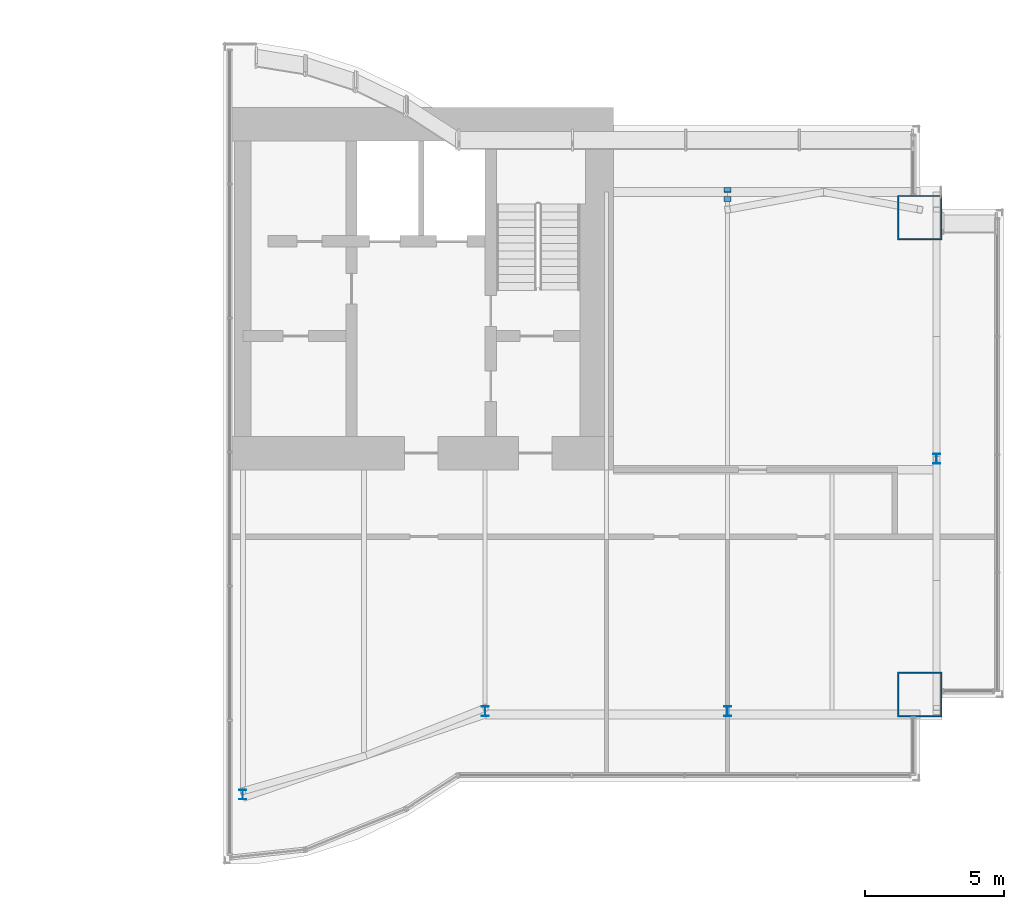
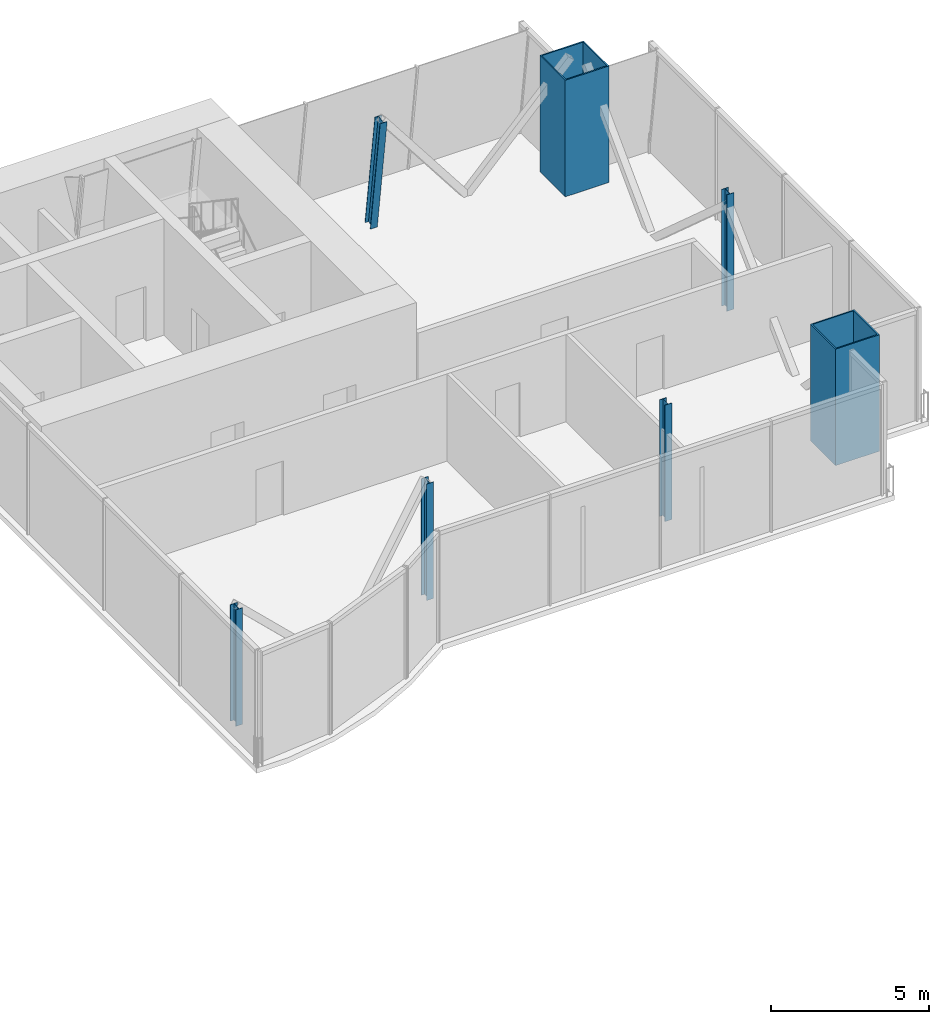
# One storey, part 2 of 14: 7 columns.
"""IFC4 building model written with IfcOpenShell, lengths in metres."""

import ifcopenshell
import ifcopenshell.guid

model = None  # the IFC model being written
_history = None  # IfcOwnerHistory: only IFC2X3 demands one
_inside = {}  # id of a spatial element -> (the spatial element, [elements in it])
_under = {}  # id of a project, library or spatial element -> (it, [spatial elements below it])
_declared = {}  # id of a project -> (the project, [libraries it declares])
_typed = {}  # id of a type object -> (the type object, [elements of that type])
_made_of = {}  # id of a material, layer set ... -> (it, [elements and type objects made of it])


def new_model(schema):
    """Start an empty IFC model of exactly this schema.

    Asked for "IFC4X3", IfcOpenShell would pick the latest addendum, in which some entities
    have other attributes; the version numbers below select the first issue.
    IFC2X3 requires an IfcOwnerHistory on every rooted entity: one is made here for all.
    """
    global model, _history
    if schema == "IFC4X3":
        model = ifcopenshell.file(schema_version=(4, 3, 0, 0))
    else:
        model = ifcopenshell.file(schema=schema)
    _inside.clear()
    _under.clear()
    _declared.clear()
    _typed.clear()
    _made_of.clear()
    _history = None
    if model.schema == "IFC2X3":
        org = make("IfcOrganization", Name="unknown")
        user = make(
            "IfcPersonAndOrganization",
            ThePerson=make("IfcPerson", FamilyName="unknown"),
            TheOrganization=org,
        )
        app = make(
            "IfcApplication",
            ApplicationDeveloper=org,
            Version="unknown",
            ApplicationFullName="unknown",
            ApplicationIdentifier="unknown",
        )
        _history = make(
            "IfcOwnerHistory",
            OwningUser=user,
            OwningApplication=app,
            ChangeAction="ADDED",
            CreationDate=0,
        )
    return model


def make(cls, **values):
    """One entity of the class cls with the attributes given. An attribute that is None is left unset."""
    return model.create_entity(
        cls, **{name: value for name, value in values.items() if value is not None}
    )


def rooted(cls, **values):
    """An entity with a GlobalId (a new one), such as an element, a storey or a relation."""
    return make(cls, GlobalId=ifcopenshell.guid.new(), OwnerHistory=_history, **values)


def si_unit(unit_type, name, prefix=None):
    """IfcSIUnit, for example si_unit("LENGTHUNIT", "METRE", prefix="MILLI")."""
    return make("IfcSIUnit", UnitType=unit_type, Prefix=prefix, Name=name)


def assignment(units):
    """IfcUnitAssignment: the units of a project."""
    return None if units is None else make("IfcUnitAssignment", Units=units)


def point(xyz):
    """IfcCartesianPoint."""
    return None if xyz is None else make("IfcCartesianPoint", Coordinates=xyz)


def direction(xyz):
    """IfcDirection."""
    return None if xyz is None else make("IfcDirection", DirectionRatios=xyz)


def frame(location, z_axis=None, x_axis=None):
    """IfcAxis2Placement3D, a coordinate frame: its origin and axes. An axis left out is left unset."""
    return make(
        "IfcAxis2Placement3D",
        Location=point(location),
        Axis=direction(z_axis),
        RefDirection=direction(x_axis),
    )


def frame_2d(location, x_axis=None):
    """IfcAxis2Placement2D, a coordinate frame in the plane: its origin and x axis."""
    return make(
        "IfcAxis2Placement2D", Location=point(location), RefDirection=direction(x_axis)
    )


def origin():
    """The frame at (0, 0, 0) with its axes left unset."""
    return frame((0.0, 0.0, 0.0))


def origin_2d():
    """The frame at (0, 0) in the plane with its x axis left unset."""
    return frame_2d((0.0, 0.0))


def place(relative_to, where):
    """IfcLocalPlacement: puts the frame where relative to a parent placement (None: the world)."""
    return make(
        "IfcLocalPlacement", PlacementRelTo=relative_to, RelativePlacement=where
    )


def context(
    kind, dimensions, precision=None, world=None, true_north=None, identifier=None
):
    """IfcGeometricRepresentationContext, for example the 3D "Model" context."""
    return make(
        "IfcGeometricRepresentationContext",
        ContextIdentifier=identifier,
        ContextType=kind,
        CoordinateSpaceDimension=dimensions,
        Precision=precision,
        WorldCoordinateSystem=world,
        TrueNorth=true_north,
    )


def subcontext(parent, identifier, kind, view, scale=None):
    """IfcGeometricRepresentationSubContext, for example "Body" below "Model"."""
    return make(
        "IfcGeometricRepresentationSubContext",
        ContextIdentifier=identifier,
        ContextType=kind,
        ParentContext=parent,
        TargetScale=scale,
        TargetView=view,
    )


def project(units=None, contexts=None):
    """IfcProject with its units and contexts."""
    return rooted(
        "IfcProject",
        Name="project",
        RepresentationContexts=contexts,
        UnitsInContext=assignment(units),
    )


def spatial(cls, under=None, at=None, **own):
    """A site, building, storey or space (cls), placed at a placement, below another one or the project."""
    s = rooted(cls, ObjectPlacement=at, **own)
    if under is not None:
        _under.setdefault(under.id(), (under, []))[1].append(s)
    return s


def profile(cls, at=None, kind="AREA", **sizes):
    """A parametric profile (cls). Its sizes go by their IFC names, for example OverallWidth=200.0."""
    return make(cls, ProfileType=kind, Position=at, **sizes)


def hollow_rectangle(**sizes):
    """IfcRectangleHollowProfileDef."""
    return profile("IfcRectangleHollowProfileDef", **sizes)


def i_section(**sizes):
    """IfcIShapeProfileDef."""
    return profile("IfcIShapeProfileDef", **sizes)


def extrude(swept, where, along, depth):
    """IfcExtrudedAreaSolid: the profile swept, set in the frame where, extruded along a direction by depth."""
    return make(
        "IfcExtrudedAreaSolid",
        SweptArea=swept,
        Position=where,
        ExtrudedDirection=direction(along),
        Depth=depth,
    )


def shape(context_of_items, identifier, shape_type, items):
    """IfcShapeRepresentation: the items that make up one representation, for example the "Body"."""
    return make(
        "IfcShapeRepresentation",
        ContextOfItems=context_of_items,
        RepresentationIdentifier=identifier,
        RepresentationType=shape_type,
        Items=items,
    )


def material(Name=None, Category=None):
    """IfcMaterial."""
    return make("IfcMaterial", Name=Name, Category=Category)


def material_profile(
    of_material, cross_section, Name=None, Category=None, Priority=None
):
    """IfcMaterialProfile: a cross section and its material."""
    return make(
        "IfcMaterialProfile",
        Name=Name,
        Material=of_material,
        Profile=cross_section,
        Priority=Priority,
        Category=Category,
    )


def profile_set(profiles, Name=None, composite=None):
    """IfcMaterialProfileSet."""
    return make(
        "IfcMaterialProfileSet",
        Name=Name,
        MaterialProfiles=profiles,
        CompositeProfile=composite,
    )


def made_of(thing, what):
    """Note that an element or type object is made of a material, layer set ...; save() writes the relation."""
    if what is not None:
        _made_of.setdefault(what.id(), (what, []))[1].append(thing)
    return thing


def type_object(cls, material=None, **own):
    """A type object (cls), such as IfcWallType, which elements share."""
    return made_of(rooted(cls, **own), material)


def element(
    cls,
    number,
    at=None,
    inside=None,
    cuts=None,
    type_object=None,
    material=None,
    context=None,
    identifier="Body",
    shape_type=None,
    held_by="IfcProductDefinitionShape",
    body=None,
    shapes=None,
    **own,
):
    """One element of the class cls, such as IfcWall. Its Tag is "e" and its number.

    at: its placement. inside: the storey or other place that contains it. cuts: it is an
    opening in that element (IfcRelVoidsElement). A single representation is given by context,
    identifier, shape_type and body (its items); several are given by shapes. held_by: the class
    of the entity that holds the representations. save() writes the other relations.
    """
    e = rooted(cls, Tag="e%d" % number, ObjectPlacement=at, **own)
    if body is not None:
        shapes = [shape(context, identifier, shape_type, body)]
    if shapes is not None:
        e.Representation = make(held_by, Representations=shapes)
    if inside is not None:
        _inside.setdefault(inside.id(), (inside, []))[1].append(e)
    if cuts is not None:
        rooted(
            "IfcRelVoidsElement", RelatingBuildingElement=cuts, RelatedOpeningElement=e
        )
    if type_object is not None:
        _typed.setdefault(type_object.id(), (type_object, []))[1].append(e)
    return made_of(e, material)


def aggregate(whole, parts):
    """IfcRelAggregates: a whole, such as a stair, and the parts it consists of."""
    return rooted("IfcRelAggregates", RelatingObject=whole, RelatedObjects=parts)


def save(model, path):
    """Write the relations noted so far, then the file.

    IfcRelAggregates (storeys below a building ...), IfcRelContainedInSpatialStructure (elements
    in a storey), IfcRelDefinesByType, IfcRelAssociatesMaterial and IfcRelDeclares: one each for
    every whole, place, type object, material and project.
    """
    for whole, parts in _under.values():
        aggregate(whole, parts)
    for where, things in _inside.values():
        rooted(
            "IfcRelContainedInSpatialStructure",
            RelatedElements=things,
            RelatingStructure=where,
        )
    for kind, things in _typed.values():
        rooted("IfcRelDefinesByType", RelatedObjects=things, RelatingType=kind)
    for what, things in _made_of.values():
        rooted("IfcRelAssociatesMaterial", RelatedObjects=things, RelatingMaterial=what)
    for by, libraries in _declared.values():
        rooted("IfcRelDeclares", RelatingContext=by, RelatedDefinitions=libraries)
    model.write(path)


model = new_model("IFC4")

# Units and contexts
model_context = context("Model", 3, precision=1e-05, world=origin(), true_north=direction((0.0, 1.0)))
body_context = subcontext(model_context, "Body", "Model", "MODEL_VIEW")
ifc_project = project(units=[si_unit("LENGTHUNIT", "METRE"), si_unit("AREAUNIT", "SQUARE_METRE"), si_unit("VOLUMEUNIT", "CUBIC_METRE"), si_unit("PLANEANGLEUNIT", "RADIAN"), si_unit("MASSUNIT", "GRAM", prefix="KILO")], contexts=[model_context])

# Site, building, storey
site_placement = place(None, origin())
site = spatial("IfcSite", under=ifc_project, at=site_placement, CompositionType="ELEMENT")
building_placement = place(site_placement, origin())
building = spatial("IfcBuilding", under=site, at=building_placement, Name="Bicima Exchange Tower", CompositionType="ELEMENT")
storey_placement = place(building_placement, frame((0.0, 0.0, 352.39990234375)))
storey = spatial("IfcBuildingStorey", under=building, at=storey_placement, Name="L79", CompositionType="ELEMENT", Elevation=352.39990234375)

# Columns
ifc_material_1 = material(Name="Steel ASTM A572 Gr 50", Category="steel")
ifc_material_profile_1 = material_profile(ifc_material_1, hollow_rectangle(XDim=1.60009765625, YDim=1.60009765625, WallThickness=0.050048828125, at=origin_2d()))
ifc_profile_set_1 = profile_set([ifc_material_profile_1], Name="Steel ASTM A572 Gr 50")
column_type_1 = type_object("IfcColumnType", Name="Mega column BOX 1600x1600x50", PredefinedType="COLUMN", material=ifc_profile_set_1)
for number, where, z_axis, x_axis, name in (
    (1, (33.0, -21.06591796875, 0.0), (0.0, 0.0, 1.0), (1.0, 0.0, 0.0), "Mega column mega+33.0f"),
    (2, (33.0, -3.94873046875, 0.0), (0.0, 0.0, 1.0), (1.0, 0.0, 0.0), "Mega column mega+33.0r"),
):
    element("IfcColumn", number, at=place(storey_placement, frame(where, z_axis=z_axis, x_axis=x_axis)), inside=storey, type_object=column_type_1, Name=name, PredefinedType="COLUMN", context=body_context, shape_type="SweptSolid", body=[
        extrude(hollow_rectangle(XDim=1.60009765625, YDim=1.60009765625, WallThickness=0.050048828125, at=origin_2d()), origin(), (0.0, 0.0, 1.0), 4.5),
    ])
ifc_material_2 = material(Name="Steel ASTM A992 Gr 50", Category="steel")
ifc_material_profile_2 = material_profile(ifc_material_2, i_section(OverallWidth=0.25390625, OverallDepth=0.35302734375, WebThickness=0.009521484375, FlangeThickness=0.016357421875, at=origin_2d()))
ifc_profile_set_2 = profile_set([ifc_material_profile_2], Name="Steel ASTM A992 Gr 50")
column_type_2 = type_object("IfcColumnType", Name="Perimeter column W14x61", PredefinedType="COLUMN", material=ifc_profile_set_2)
for number, where, z_axis, x_axis, name in (
    (3, (8.699951171875, -24.656982421875, 0.0), (0.0, 0.0, 1.0), (1.0, 0.0, 0.0), "Perimeter column grav+8.7f"),
    (4, (17.39990234375, -21.666015625, 0.0), (0.0, 0.0, 1.0), (1.0, 0.0, 0.0), "Perimeter column grav+17.4f"),
    (5, (26.10009765625, -21.666015625, 0.0), (0.0, 0.0, 1.0), (1.0, 0.0, 0.0), "Perimeter column grav+26.1f"),
):
    element("IfcColumn", number, at=place(storey_placement, frame(where, z_axis=z_axis, x_axis=x_axis)), inside=storey, type_object=column_type_2, Name=name, PredefinedType="COLUMN", context=body_context, shape_type="SweptSolid", body=[
        extrude(i_section(OverallWidth=0.25390625, OverallDepth=0.35302734375, WebThickness=0.009521484375, FlangeThickness=0.016357421875, at=origin_2d()), origin(), (0.0, 0.0, 1.0), 4.5),
    ])
column_1_placement = place(storey_placement, frame((26.10009765625, -3.035888671875, 0.0244140625), z_axis=(0.0, -0.139200740592, 0.990264183851), x_axis=(1.0, 0.0, 0.0)))
element("IfcColumn", 6, at=column_1_placement, inside=storey, type_object=column_type_2, Name="Perimeter column grav+26.1r", PredefinedType="COLUMN", context=body_context, shape_type="SweptSolid", body=[
    extrude(i_section(OverallWidth=0.25390625, OverallDepth=0.35302734375, WebThickness=0.009521484375, FlangeThickness=0.016357421875, at=origin_2d()), origin(), (0.0, 0.0, 1.0), 4.4951171875),
])
column_2_placement = place(storey_placement, frame((33.60009765625, -12.60009765625, 0.0), z_axis=(0.0, 0.0, 1.0), x_axis=(1.0, 0.0, 0.0)))
element("IfcColumn", 7, at=column_2_placement, inside=storey, type_object=column_type_2, Name="End column end+33.6e", PredefinedType="COLUMN", context=body_context, shape_type="SweptSolid", body=[
    extrude(i_section(OverallWidth=0.25390625, OverallDepth=0.35302734375, WebThickness=0.009521484375, FlangeThickness=0.016357421875, at=origin_2d()), origin(), (0.0, 0.0, 1.0), 4.5),
])

save(model, "model.ifc")
